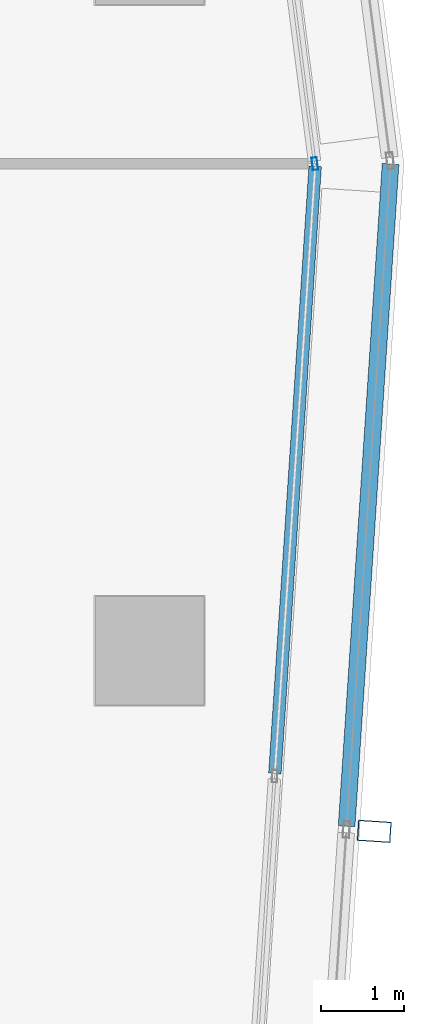
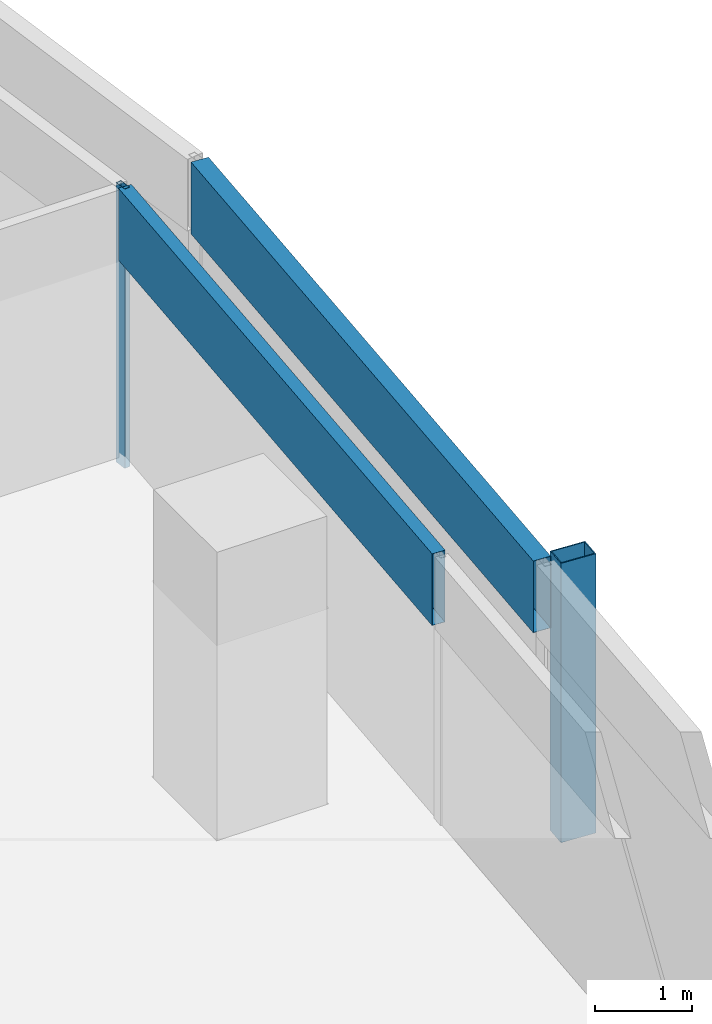
# One storey, part 13 of 30: 4 members, 3 elements without a shape of their own.
"""IFC4 building model written with IfcOpenShell, lengths in metres."""

from ifc_helpers import new_model, si_unit, direction, frame, origin, origin_2d, place, context, subcontext, project, spatial, hollow_rectangle, extrude, material, material_profile, profile_set, type_object, element, aggregate, save


model = new_model("IFC4")

# Units and contexts
model_context = context("Model", 3, precision=1e-05, world=origin(), true_north=direction((0.0, 1.0)))
body_context = subcontext(model_context, "Body", "Model", "MODEL_VIEW")
ifc_project = project(units=[si_unit("LENGTHUNIT", "METRE"), si_unit("AREAUNIT", "SQUARE_METRE"), si_unit("VOLUMEUNIT", "CUBIC_METRE"), si_unit("PLANEANGLEUNIT", "RADIAN"), si_unit("MASSUNIT", "GRAM", prefix="KILO")], contexts=[model_context])

# Site, building, storey
site_placement = place(None, origin())
site = spatial("IfcSite", under=ifc_project, at=site_placement, CompositionType="ELEMENT")
building_placement = place(site_placement, origin())
building = spatial("IfcBuilding", under=site, at=building_placement, Name="Rekha Terrace Tower", CompositionType="ELEMENT")
storey_placement = place(building_placement, frame((0.0, 0.0, 265.10009765625)))
storey = spatial("IfcBuildingStorey", under=building, at=storey_placement, Name="L67", CompositionType="ELEMENT", Elevation=265.10009765625)

# Curtain wall, member
ifc_material_1 = material(Name="Aluminium framing", Category="aluminium")
curtain_wall_type_1 = type_object("IfcCurtainWallType", Name="CW2 double skin outer glazing", PredefinedType="USERDEFINED", material=ifc_material_1)
curtain_wall_1_placement = place(storey_placement, origin())
curtain_wall_1 = element("IfcCurtainWall", 1, at=curtain_wall_1_placement, inside=storey, type_object=curtain_wall_type_1, Name="CW2 double skin outer glazing", ObjectType="DOUBLE SKIN OUTER GLAZING", PredefinedType="USERDEFINED")
ifc_material_2 = material(Name="Steel S355 with fluorocarbon finish", Category="steel")
ifc_material_profile_1 = material_profile(ifc_material_2, hollow_rectangle(XDim=0.25, YDim=0.39990234375, WallThickness=0.012451171875, at=origin_2d()), Name="RHS400x250x12.5")
ifc_profile_set_1 = profile_set([ifc_material_profile_1], Name="Steel S355 with fluorocarbon finish")
member_type_1 = type_object("IfcMemberType", Name="BL1 facade blade RHS 400 x 250", PredefinedType="USERDEFINED", material=ifc_profile_set_1)
member_1_placement = place(storey_placement, frame((61.49365234375, 31.435302734375, 0.0), z_axis=(0.0, 0.0, 1.0), x_axis=(0.066272158908, 0.99780158396, 0.0)))
member_1 = element("IfcMember", 2, at=member_1_placement, type_object=member_type_1, Name="Facade blade", ObjectType="FACADE BLADE", PredefinedType="USERDEFINED", context=body_context, shape_type="SweptSolid", body=[
    extrude(hollow_rectangle(XDim=0.25, YDim=0.39990234375, WallThickness=0.012451171875, at=origin_2d()), origin(), (0.0, 0.0, 1.0), 3.5),
])

curtain_wall_type_2 = type_object("IfcCurtainWallType", Name="CW1 double skin inner glazing", PredefinedType="USERDEFINED", material=ifc_material_1)
curtain_wall_2_placement = place(storey_placement, origin())
curtain_wall_2 = element("IfcCurtainWall", 3, at=curtain_wall_2_placement, inside=storey, type_object=curtain_wall_type_2, Name="CW1 double skin inner glazing", ObjectType="DOUBLE SKIN INNER GLAZING", PredefinedType="USERDEFINED")
ifc_material_3 = material(Name="Aluminium mullion section", Category="aluminium")
ifc_material_profile_2 = material_profile(ifc_material_3, hollow_rectangle(XDim=0.06494140625, YDim=0.14990234375, WallThickness=0.00390625, at=origin_2d()), Name="AL RHS 65x150")
ifc_profile_set_2 = profile_set([ifc_material_profile_2], Name="Aluminium mullion section")
member_type_2 = type_object("IfcMemberType", Name="CW1 mullion RHS 65 x 150", PredefinedType="MULLION", material=ifc_profile_set_2)
member_2_placement = place(storey_placement, frame((60.78125, 39.439208984375, 0.0), z_axis=(0.0, 0.0, 1.0), x_axis=(-0.991790949472, -0.127869904766, 0.0)))
member_2 = element("IfcMember", 4, at=member_2_placement, type_object=member_type_2, Name="CW1 mullion 1", PredefinedType="MULLION", context=body_context, shape_type="SweptSolid", body=[
    extrude(hollow_rectangle(XDim=0.06494140625, YDim=0.14990234375, WallThickness=0.00390625, at=origin_2d()), origin(), (0.0, 0.0, 1.0), 3.5),
])
aggregate(curtain_wall_2, [member_2])

curtain_wall_3_placement = place(storey_placement, origin())
curtain_wall_3 = element("IfcCurtainWall", 5, at=curtain_wall_3_placement, inside=storey, type_object=curtain_wall_type_2, Name="CW1 double skin inner glazing", ObjectType="DOUBLE SKIN INNER GLAZING", PredefinedType="USERDEFINED")
ifc_material_4 = material(Name="Insulated aluminium spandrel box", Category="aluminium")
ifc_material_profile_3 = material_profile(ifc_material_4, hollow_rectangle(XDim=0.14990234375, YDim=0.89990234375, WallThickness=0.0029296875, at=origin_2d()), Name="AL SPANDREL BOX 150x900")
ifc_profile_set_3 = profile_set([ifc_material_profile_3], Name="Insulated aluminium spandrel box")
member_type_3 = type_object("IfcMemberType", Name="CW1 spandrel transom 150 x 900", PredefinedType="USERDEFINED", material=ifc_profile_set_3)
member_3_placement = place(storey_placement, frame((60.302001953125, 32.129150390625, 3.0498046875), z_axis=(0.066274633038, 0.99780141963, 0.0), x_axis=(-0.99780141963, 0.066274633038, 0.0)))
member_3 = element("IfcMember", 6, at=member_3_placement, type_object=member_type_3, Name="CW1 spandrel transom 3", ObjectType="TRANSOM", PredefinedType="USERDEFINED", context=body_context, shape_type="SweptSolid", body=[
    extrude(hollow_rectangle(XDim=0.14990234375, YDim=0.89990234375, WallThickness=0.0029296875, at=origin_2d()), origin(), (0.0, 0.0, 1.0), 7.2939453125),
])
aggregate(curtain_wall_3, [member_3])

# Member
ifc_material_profile_4 = material_profile(ifc_material_4, hollow_rectangle(XDim=0.199951171875, YDim=0.89990234375, WallThickness=0.0029296875, at=origin_2d()), Name="AL SPANDREL BOX 200x900")
ifc_profile_set_4 = profile_set([ifc_material_profile_4], Name="Insulated aluminium spandrel box")
member_type_4 = type_object("IfcMemberType", Name="CW2 spandrel transom 200 x 900", PredefinedType="USERDEFINED", material=ifc_profile_set_4)
member_4_placement = place(storey_placement, frame((61.162109375, 31.497314453125, 3.0498046875), z_axis=(0.066258284658, 0.997802505366, 0.0), x_axis=(-0.997802505366, 0.066258284658, 0.0)))
member_4 = element("IfcMember", 7, at=member_4_placement, type_object=member_type_4, Name="CW2 spandrel transom 3", ObjectType="TRANSOM", PredefinedType="USERDEFINED", context=body_context, shape_type="SweptSolid", body=[
    extrude(hollow_rectangle(XDim=0.199951171875, YDim=0.89990234375, WallThickness=0.0029296875, at=origin_2d()), origin(), (0.0, 0.0, 1.0), 7.955322265625),
])

aggregate(curtain_wall_1, [member_4, member_1])

save(model, "model.ifc")
